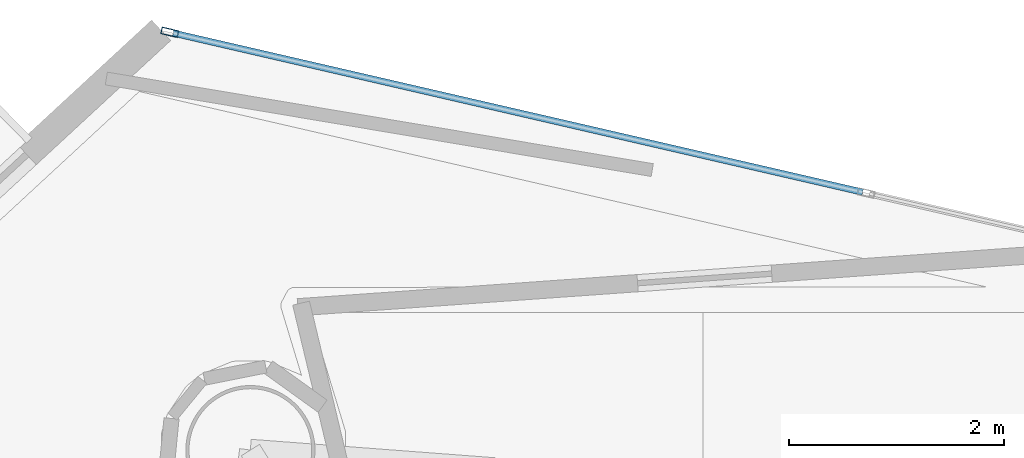
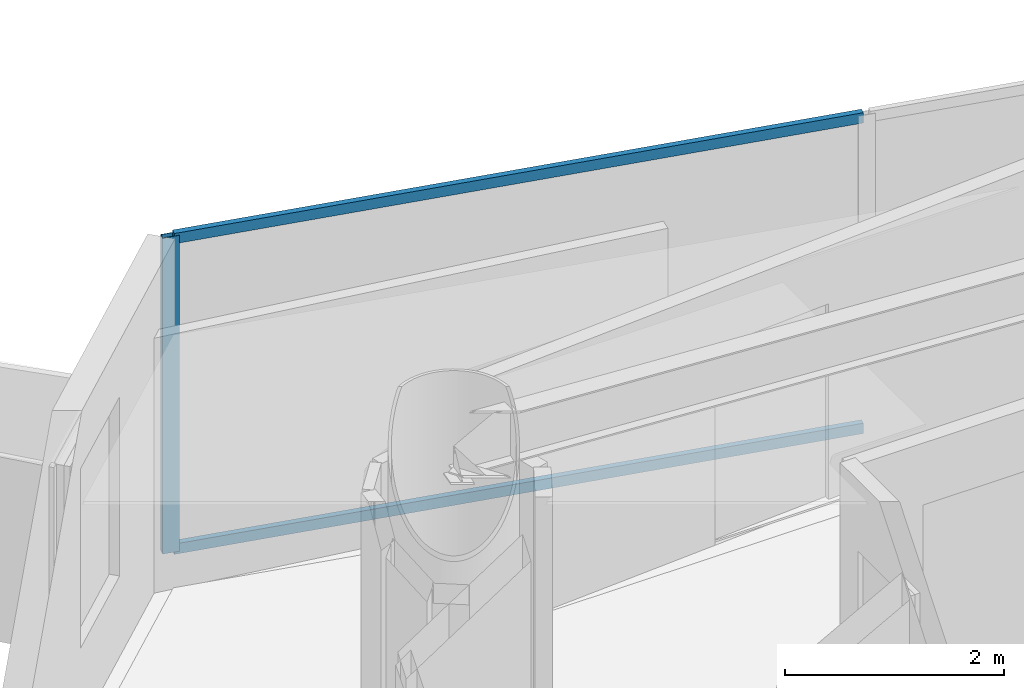
# One storey, part 15 of 22: 3 members, 1 element without a shape of its own.
"""IFC4 building model written with IfcOpenShell, lengths in metres."""

from ifc_helpers import new_model, si_unit, direction, frame, origin, origin_2d, place, context, subcontext, project, spatial, hollow_rectangle, extrude, material, layer, layer_set, material_profile, profile_set, type_object, element, aggregate, save


model = new_model("IFC4")

# Units and contexts
model_context = context("Model", 3, precision=1e-05, world=origin(), true_north=direction((0.0, 1.0)))
body_context = subcontext(model_context, "Body", "Model", "MODEL_VIEW")
ifc_project = project(units=[si_unit("LENGTHUNIT", "METRE"), si_unit("AREAUNIT", "SQUARE_METRE"), si_unit("VOLUMEUNIT", "CUBIC_METRE"), si_unit("PLANEANGLEUNIT", "RADIAN"), si_unit("MASSUNIT", "GRAM", prefix="KILO")], contexts=[model_context])

# Site, building, storey
site_placement = place(None, origin())
site = spatial("IfcSite", under=ifc_project, at=site_placement, CompositionType="ELEMENT")
building_placement = place(site_placement, origin())
building = spatial("IfcBuilding", under=site, at=building_placement, Name="Qianvela Tower", CompositionType="ELEMENT")
storey_placement = place(building_placement, frame((0.0, 0.0, 200.300048828125)))
storey = spatial("IfcBuildingStorey", under=building, at=storey_placement, Name="L51", CompositionType="ELEMENT", Elevation=200.300048828125)

# Curtain wall, members
ifc_material_1 = material(Name="Anodised Architectural Aluminium and Low-E Glass", Category="aluminium")
ifc_layer = layer(ifc_material_1, 0.159912109375)
ifc_layer_set = layer_set([ifc_layer], Name="Anodised Architectural Aluminium and Low-E Glass")
curtain_wall_type = type_object("IfcCurtainWallType", Name="CW-COLIV-Z56", PredefinedType="USERDEFINED", material=ifc_layer_set)
curtain_wall_placement = place(storey_placement, origin())
curtain_wall = element("IfcCurtainWall", 1, at=curtain_wall_placement, inside=storey, type_object=curtain_wall_type, Name="L51 CW-COLIV-Z56 Curtain Wall 02C", ObjectType="CURTAIN_WALL_SYSTEM", PredefinedType="USERDEFINED")
ifc_material_2 = material(Name="Anodised Architectural Aluminium 6063-T6", Category="aluminium")
ifc_material_profile_1 = material_profile(ifc_material_2, hollow_rectangle(XDim=0.06494140625, YDim=0.159912109375, WallThickness=0.0048828125, at=origin_2d()), Name="ALU-MULL-65x160")
ifc_profile_set_1 = profile_set([ifc_material_profile_1], Name="Anodised Architectural Aluminium 6063-T6")
member_type_1 = type_object("IfcMemberType", Name="CW-COLIV-Z56-MULL", PredefinedType="MULLION", material=ifc_profile_set_1)
member_1_placement = place(storey_placement, frame((25.681396484375, 40.87451171875, 0.0), z_axis=(0.0, 0.0, 1.0), x_axis=(-0.224830507229, -0.974397887425, 0.0)))
member_1 = element("IfcMember", 2, at=member_1_placement, type_object=member_type_1, Name="CW-5 mullion 3", PredefinedType="MULLION", context=body_context, shape_type="SweptSolid", body=[
    extrude(hollow_rectangle(XDim=0.06494140625, YDim=0.159912109375, WallThickness=0.0048828125, at=origin_2d()), origin(), (0.0, 0.0, 1.0), 3.52001953125),
])
ifc_material_3 = material(Name="Anodised Architectural Aluminium 6063-T6", Category="aluminium")
ifc_material_profile_2 = material_profile(ifc_material_3, hollow_rectangle(XDim=0.06005859375, YDim=0.114990234375, WallThickness=0.00390625, at=origin_2d()), Name="ALU-TRAN-60x115")
ifc_profile_set_2 = profile_set([ifc_material_profile_2], Name="Anodised Architectural Aluminium 6063-T6")
member_type_2 = type_object("IfcMemberType", Name="CW-COLIV-Z56-TRAN", PredefinedType="USERDEFINED", material=ifc_profile_set_2)
member_2_placement = place(storey_placement, frame((32.12109375, 39.388671875, 0.030029296875), z_axis=(-0.974399329015, 0.224824259402, 0.0), x_axis=(-0.224824259402, -0.974399329015, 0.0)))
member_2 = element("IfcMember", 3, at=member_2_placement, type_object=member_type_2, Name="CW-5 transom 2.1", ObjectType="TRANSOM", PredefinedType="USERDEFINED", context=body_context, shape_type="SweptSolid", body=[
    extrude(hollow_rectangle(XDim=0.06005859375, YDim=0.114990234375, WallThickness=0.00390625, at=origin_2d()), origin(), (0.0, 0.0, 1.0), 6.576416015625),
])
member_3_placement = place(storey_placement, frame((32.12109375, 39.388671875, 3.489990234375), z_axis=(-0.974399329015, 0.224824259402, 0.0), x_axis=(-0.224824259402, -0.974399329015, 0.0)))
member_3 = element("IfcMember", 4, at=member_3_placement, type_object=member_type_2, Name="CW-5 transom 2.2", ObjectType="TRANSOM", PredefinedType="USERDEFINED", context=body_context, shape_type="SweptSolid", body=[
    extrude(hollow_rectangle(XDim=0.06005859375, YDim=0.114990234375, WallThickness=0.00390625, at=origin_2d()), origin(), (0.0, 0.0, 1.0), 6.576416015625),
])
aggregate(curtain_wall, [member_1, member_2, member_3])

save(model, "model.ifc")
